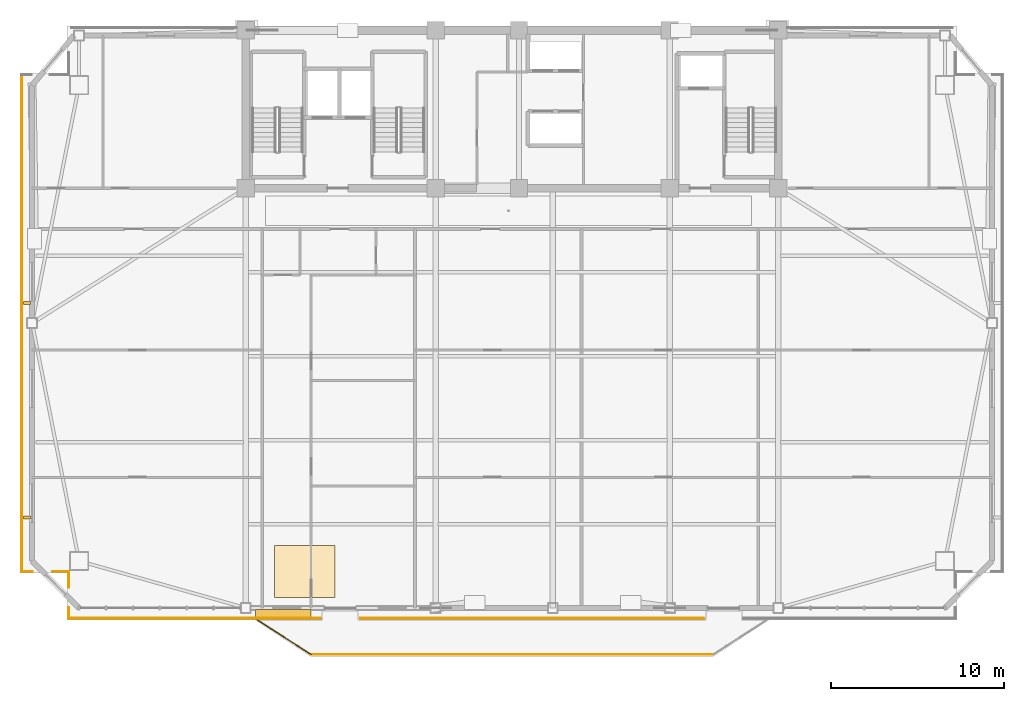
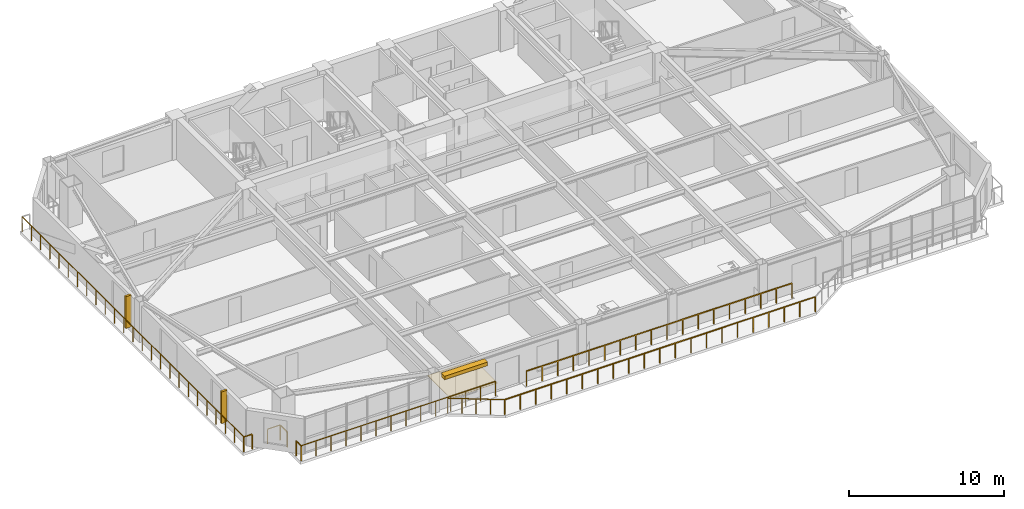
# One storey, part 13 of 16: 9 railings, 3 shading devices, 1 covering.
"""IFC4 building model written with IfcOpenShell, lengths in metres."""

from ifc_helpers import new_model, si_unit, direction, frame, origin, origin_2d, place, context, subcontext, project, spatial, polyline, rectangle, outline, extrude, source, transform, mapped, material, layer, layer_set, type_object, element, save


model = new_model("IFC4")

# Units and contexts
model_context = context("Model", 3, precision=1e-05, world=origin(), true_north=direction((0.0, 1.0)))
body_context = subcontext(model_context, "Body", "Model", "MODEL_VIEW")
ifc_project = project(units=[si_unit("LENGTHUNIT", "METRE"), si_unit("AREAUNIT", "SQUARE_METRE"), si_unit("VOLUMEUNIT", "CUBIC_METRE"), si_unit("PLANEANGLEUNIT", "RADIAN"), si_unit("MASSUNIT", "GRAM", prefix="KILO")], contexts=[model_context])

# Site, building, storey
site_placement = place(None, origin())
site = spatial("IfcSite", under=ifc_project, at=site_placement, CompositionType="ELEMENT")
building_placement = place(site_placement, origin())
building = spatial("IfcBuilding", under=site, at=building_placement, Name="Giltprow Tower", CompositionType="ELEMENT")
storey_placement = place(building_placement, frame((0.0, 0.0, 227.0)))
storey = spatial("IfcBuildingStorey", under=building, at=storey_placement, Name="L57", CompositionType="ELEMENT", Elevation=227.0)

# Covering
ifc_material_1 = material(Name="Engineered oak", Category="wood")
ifc_layer = layer(ifc_material_1, 0.02490234375, Name="Engineered oak")
ifc_layer_set = layer_set([ifc_layer], Name="Engineered oak")
covering_type = type_object("IfcCoveringType", Name="COV-FLR-TIMBER", PredefinedType="FLOORING", material=ifc_layer_set)
covering_placement = place(storey_placement, origin())
element("IfcCovering", 1, at=covering_placement, inside=storey, type_object=covering_type, Name="L57 Residence Oak Parquet Flooring", PredefinedType="FLOORING", context=body_context, shape_type="SweptSolid", body=[
    extrude(outline(polyline([(21.5, 13.85009765625), (25.0, 13.85009765625), (25.0, 16.85009765625), (21.5, 16.85009765625), (21.5, 13.85009765625)])), origin(), (0.0, 0.0, 1.0), 0.02490234375),
])

# Railings
ifc_material_2 = material(Name="Anodized bronze", Category="metal")
railing_type = type_object("IfcRailingType", Name="RAIL-BALC-GUARD-1200", PredefinedType="BALUSTRADE", material=ifc_material_2)
railing_1_placement = place(storey_placement, frame((20.52001953125, 12.550048828125, 0.0)))
element("IfcRailing", 2, at=railing_1_placement, inside=storey, type_object=railing_type, Name="L57 Waterfront Balcony Balustrade Seg 1", PredefinedType="BALUSTRADE", context=body_context, shape_type="SweptSolid", body=[
    extrude(rectangle(XDim=0.048095703125, YDim=0.048095703125, at=origin_2d()), frame((0.0, 0.0, 1.17578125), z_axis=(0.84277487735, -0.538266203757, 0.0), x_axis=(0.538266203757, 0.84277487735, 0.0)), (0.0, 0.0, 1.0), 3.678466796875),
    extrude(rectangle(XDim=0.0419921875, YDim=0.0419921875, at=origin_2d()), origin(), (0.0, 0.0, 1.0), 1.15185546875),
    extrude(rectangle(XDim=0.0419921875, YDim=0.0419921875, at=origin_2d()), frame((0.77490234375, -0.4951171875, 0.0)), (0.0, 0.0, 1.0), 1.15185546875),
    extrude(rectangle(XDim=0.0419921875, YDim=0.0419921875, at=origin_2d()), frame((1.550048828125, -0.989990234375, 0.0)), (0.0, 0.0, 1.0), 1.15185546875),
    extrude(rectangle(XDim=0.0419921875, YDim=0.0419921875, at=origin_2d()), frame((2.3251953125, -1.48486328125, 0.0)), (0.0, 0.0, 1.0), 1.15185546875),
    extrude(rectangle(XDim=0.0419921875, YDim=0.0419921875, at=origin_2d()), frame((3.10009765625, -1.97998046875, 0.0)), (0.0, 0.0, 1.0), 1.15185546875),
])
railing_2_placement = place(storey_placement, frame((23.6201171875, 10.570068359375, 0.0)))
element("IfcRailing", 3, at=railing_2_placement, inside=storey, type_object=railing_type, Name="L57 Waterfront Balcony Balustrade Seg 2", PredefinedType="BALUSTRADE", context=body_context, shape_type="SweptSolid", body=[
    extrude(rectangle(XDim=0.048095703125, YDim=0.048095703125, at=origin_2d()), frame((0.0, 0.0, 1.17578125), z_axis=(1.0, 0.0, 0.0), x_axis=(0.0, 1.0, 0.0)), (0.0, 0.0, 1.0), 23.159912109375),
    extrude(rectangle(XDim=0.0419921875, YDim=0.0419921875, at=origin_2d()), origin(), (0.0, 0.0, 1.0), 1.15185546875),
    extrude(rectangle(XDim=0.0419921875, YDim=0.0419921875, at=origin_2d()), frame((1.157958984375, 0.0, 0.0)), (0.0, 0.0, 1.0), 1.15185546875),
    extrude(rectangle(XDim=0.0419921875, YDim=0.0419921875, at=origin_2d()), frame((2.31591796875, 0.0, 0.0)), (0.0, 0.0, 1.0), 1.15185546875),
    extrude(rectangle(XDim=0.0419921875, YDim=0.0419921875, at=origin_2d()), frame((3.473876953125, 0.0, 0.0)), (0.0, 0.0, 1.0), 1.15185546875),
    extrude(rectangle(XDim=0.0419921875, YDim=0.0419921875, at=origin_2d()), frame((4.632080078125, 0.0, 0.0)), (0.0, 0.0, 1.0), 1.15185546875),
    extrude(rectangle(XDim=0.0419921875, YDim=0.0419921875, at=origin_2d()), frame((5.7900390625, 0.0, 0.0)), (0.0, 0.0, 1.0), 1.15185546875),
    extrude(rectangle(XDim=0.0419921875, YDim=0.0419921875, at=origin_2d()), frame((6.947998046875, 0.0, 0.0)), (0.0, 0.0, 1.0), 1.15185546875),
    extrude(rectangle(XDim=0.0419921875, YDim=0.0419921875, at=origin_2d()), frame((8.10595703125, 0.0, 0.0)), (0.0, 0.0, 1.0), 1.15185546875),
    extrude(rectangle(XDim=0.0419921875, YDim=0.0419921875, at=origin_2d()), frame((9.263916015625, 0.0, 0.0)), (0.0, 0.0, 1.0), 1.15185546875),
    extrude(rectangle(XDim=0.0419921875, YDim=0.0419921875, at=origin_2d()), frame((10.421875, 0.0, 0.0)), (0.0, 0.0, 1.0), 1.15185546875),
    extrude(rectangle(XDim=0.0419921875, YDim=0.0419921875, at=origin_2d()), frame((11.580078125, 0.0, 0.0)), (0.0, 0.0, 1.0), 1.15185546875),
    extrude(rectangle(XDim=0.0419921875, YDim=0.0419921875, at=origin_2d()), frame((12.738037109375, 0.0, 0.0)), (0.0, 0.0, 1.0), 1.15185546875),
    extrude(rectangle(XDim=0.0419921875, YDim=0.0419921875, at=origin_2d()), frame((13.89599609375, 0.0, 0.0)), (0.0, 0.0, 1.0), 1.15185546875),
    extrude(rectangle(XDim=0.0419921875, YDim=0.0419921875, at=origin_2d()), frame((15.053955078125, 0.0, 0.0)), (0.0, 0.0, 1.0), 1.15185546875),
    extrude(rectangle(XDim=0.0419921875, YDim=0.0419921875, at=origin_2d()), frame((16.2119140625, 0.0, 0.0)), (0.0, 0.0, 1.0), 1.15185546875),
    extrude(rectangle(XDim=0.0419921875, YDim=0.0419921875, at=origin_2d()), frame((17.369873046875, 0.0, 0.0)), (0.0, 0.0, 1.0), 1.15185546875),
    extrude(rectangle(XDim=0.0419921875, YDim=0.0419921875, at=origin_2d()), frame((18.52783203125, 0.0, 0.0)), (0.0, 0.0, 1.0), 1.15185546875),
    extrude(rectangle(XDim=0.0419921875, YDim=0.0419921875, at=origin_2d()), frame((19.68603515625, 0.0, 0.0)), (0.0, 0.0, 1.0), 1.15185546875),
    extrude(rectangle(XDim=0.0419921875, YDim=0.0419921875, at=origin_2d()), frame((20.843994140625, 0.0, 0.0)), (0.0, 0.0, 1.0), 1.15185546875),
    extrude(rectangle(XDim=0.0419921875, YDim=0.0419921875, at=origin_2d()), frame((22.001953125, 0.0, 0.0)), (0.0, 0.0, 1.0), 1.15185546875),
    extrude(rectangle(XDim=0.0419921875, YDim=0.0419921875, at=origin_2d()), frame((23.159912109375, 0.0, 0.0)), (0.0, 0.0, 1.0), 1.15185546875),
])
railing_3_placement = place(storey_placement, frame((46.25, 12.64990234375, 0.0)))
element("IfcRailing", 4, at=railing_3_placement, inside=storey, type_object=railing_type, Name="L57 Corner Apron Edge Balustrade 7", PredefinedType="BALUSTRADE", context=body_context, shape_type="SweptSolid", body=[
    extrude(rectangle(XDim=0.048095703125, YDim=0.048095703125, at=origin_2d()), frame((0.0, 0.0, 1.17578125), z_axis=(-1.0, 0.0, 0.0), x_axis=(0.0, -1.0, 0.0)), (0.0, 0.0, 1.0), 19.800048828125),
    extrude(rectangle(XDim=0.0419921875, YDim=0.0419921875, at=origin_2d()), origin(), (0.0, 0.0, 1.0), 1.15185546875),
    extrude(rectangle(XDim=0.0419921875, YDim=0.0419921875, at=origin_2d()), frame((-1.164794921875, 0.0, 0.0)), (0.0, 0.0, 1.0), 1.15185546875),
    extrude(rectangle(XDim=0.0419921875, YDim=0.0419921875, at=origin_2d()), frame((-2.329345703125, 0.0, 0.0)), (0.0, 0.0, 1.0), 1.15185546875),
    extrude(rectangle(XDim=0.0419921875, YDim=0.0419921875, at=origin_2d()), frame((-3.494140625, 0.0, 0.0)), (0.0, 0.0, 1.0), 1.15185546875),
    extrude(rectangle(XDim=0.0419921875, YDim=0.0419921875, at=origin_2d()), frame((-4.658935546875, 0.0, 0.0)), (0.0, 0.0, 1.0), 1.15185546875),
    extrude(rectangle(XDim=0.0419921875, YDim=0.0419921875, at=origin_2d()), frame((-5.823486328125, 0.0, 0.0)), (0.0, 0.0, 1.0), 1.15185546875),
    extrude(rectangle(XDim=0.0419921875, YDim=0.0419921875, at=origin_2d()), frame((-6.98828125, 0.0, 0.0)), (0.0, 0.0, 1.0), 1.15185546875),
    extrude(rectangle(XDim=0.0419921875, YDim=0.0419921875, at=origin_2d()), frame((-8.153076171875, 0.0, 0.0)), (0.0, 0.0, 1.0), 1.15185546875),
    extrude(rectangle(XDim=0.0419921875, YDim=0.0419921875, at=origin_2d()), frame((-9.317626953125, 0.0, 0.0)), (0.0, 0.0, 1.0), 1.15185546875),
    extrude(rectangle(XDim=0.0419921875, YDim=0.0419921875, at=origin_2d()), frame((-10.482421875, 0.0, 0.0)), (0.0, 0.0, 1.0), 1.15185546875),
    extrude(rectangle(XDim=0.0419921875, YDim=0.0419921875, at=origin_2d()), frame((-11.64697265625, 0.0, 0.0)), (0.0, 0.0, 1.0), 1.15185546875),
    extrude(rectangle(XDim=0.0419921875, YDim=0.0419921875, at=origin_2d()), frame((-12.811767578125, 0.0, 0.0)), (0.0, 0.0, 1.0), 1.15185546875),
    extrude(rectangle(XDim=0.0419921875, YDim=0.0419921875, at=origin_2d()), frame((-13.9765625, 0.0, 0.0)), (0.0, 0.0, 1.0), 1.15185546875),
    extrude(rectangle(XDim=0.0419921875, YDim=0.0419921875, at=origin_2d()), frame((-15.14111328125, 0.0, 0.0)), (0.0, 0.0, 1.0), 1.15185546875),
    extrude(rectangle(XDim=0.0419921875, YDim=0.0419921875, at=origin_2d()), frame((-16.305908203125, 0.0, 0.0)), (0.0, 0.0, 1.0), 1.15185546875),
    extrude(rectangle(XDim=0.0419921875, YDim=0.0419921875, at=origin_2d()), frame((-17.470703125, 0.0, 0.0)), (0.0, 0.0, 1.0), 1.15185546875),
    extrude(rectangle(XDim=0.0419921875, YDim=0.0419921875, at=origin_2d()), frame((-18.63525390625, 0.0, 0.0)), (0.0, 0.0, 1.0), 1.15185546875),
    extrude(rectangle(XDim=0.0419921875, YDim=0.0419921875, at=origin_2d()), frame((-19.800048828125, 0.0, 0.0)), (0.0, 0.0, 1.0), 1.15185546875),
])
railing_4_placement = place(storey_placement, frame((24.14990234375, 12.64990234375, 0.0)))
element("IfcRailing", 5, at=railing_4_placement, inside=storey, type_object=railing_type, Name="L57 Corner Apron Edge Balustrade 8", PredefinedType="BALUSTRADE", context=body_context, shape_type="SweptSolid", body=[
    extrude(rectangle(XDim=0.048095703125, YDim=0.048095703125, at=origin_2d()), frame((0.0, 0.0, 1.17578125), z_axis=(-1.0, 0.0, 0.0), x_axis=(0.0, -1.0, 0.0)), (0.0, 0.0, 1.0), 14.510009765625),
    extrude(rectangle(XDim=0.0419921875, YDim=0.0419921875, at=origin_2d()), origin(), (0.0, 0.0, 1.0), 1.15185546875),
    extrude(rectangle(XDim=0.0419921875, YDim=0.0419921875, at=origin_2d()), frame((-1.1162109375, 0.0, 0.0)), (0.0, 0.0, 1.0), 1.15185546875),
    extrude(rectangle(XDim=0.0419921875, YDim=0.0419921875, at=origin_2d()), frame((-2.232421875, 0.0, 0.0)), (0.0, 0.0, 1.0), 1.15185546875),
    extrude(rectangle(XDim=0.0419921875, YDim=0.0419921875, at=origin_2d()), frame((-3.348388671875, 0.0, 0.0)), (0.0, 0.0, 1.0), 1.15185546875),
    extrude(rectangle(XDim=0.0419921875, YDim=0.0419921875, at=origin_2d()), frame((-4.464599609375, 0.0, 0.0)), (0.0, 0.0, 1.0), 1.15185546875),
    extrude(rectangle(XDim=0.0419921875, YDim=0.0419921875, at=origin_2d()), frame((-5.580810546875, 0.0, 0.0)), (0.0, 0.0, 1.0), 1.15185546875),
    extrude(rectangle(XDim=0.0419921875, YDim=0.0419921875, at=origin_2d()), frame((-6.697021484375, 0.0, 0.0)), (0.0, 0.0, 1.0), 1.15185546875),
    extrude(rectangle(XDim=0.0419921875, YDim=0.0419921875, at=origin_2d()), frame((-7.81298828125, 0.0, 0.0)), (0.0, 0.0, 1.0), 1.15185546875),
    extrude(rectangle(XDim=0.0419921875, YDim=0.0419921875, at=origin_2d()), frame((-8.92919921875, 0.0, 0.0)), (0.0, 0.0, 1.0), 1.15185546875),
    extrude(rectangle(XDim=0.0419921875, YDim=0.0419921875, at=origin_2d()), frame((-10.04541015625, 0.0, 0.0)), (0.0, 0.0, 1.0), 1.15185546875),
    extrude(rectangle(XDim=0.0419921875, YDim=0.0419921875, at=origin_2d()), frame((-11.16162109375, 0.0, 0.0)), (0.0, 0.0, 1.0), 1.15185546875),
    extrude(rectangle(XDim=0.0419921875, YDim=0.0419921875, at=origin_2d()), frame((-12.277587890625, 0.0, 0.0)), (0.0, 0.0, 1.0), 1.15185546875),
    extrude(rectangle(XDim=0.0419921875, YDim=0.0419921875, at=origin_2d()), frame((-13.393798828125, 0.0, 0.0)), (0.0, 0.0, 1.0), 1.15185546875),
    extrude(rectangle(XDim=0.0419921875, YDim=0.0419921875, at=origin_2d()), frame((-14.510009765625, 0.0, 0.0)), (0.0, 0.0, 1.0), 1.15185546875),
])
railing_5_placement = place(storey_placement, frame((9.639892578125, 12.64990234375, 0.0)))
element("IfcRailing", 6, at=railing_5_placement, inside=storey, type_object=railing_type, Name="L57 Corner Apron Edge Balustrade 9", PredefinedType="BALUSTRADE", context=body_context, shape_type="SweptSolid", body=[
    extrude(rectangle(XDim=0.048095703125, YDim=0.048095703125, at=origin_2d()), frame((0.0, 0.0, 1.17578125), z_axis=(0.0, 1.0, 0.0), x_axis=(-1.0, 0.0, 0.0)), (0.0, 0.0, 1.0), 0.6201171875),
    extrude(rectangle(XDim=0.0419921875, YDim=0.0419921875, at=origin_2d()), origin(), (0.0, 0.0, 1.0), 1.15185546875),
    extrude(rectangle(XDim=0.0419921875, YDim=0.0419921875, at=origin_2d()), frame((0.0, 0.6201171875, 0.0)), (0.0, 0.0, 1.0), 1.15185546875),
])
railing_6_placement = place(storey_placement, frame((9.639892578125, 14.429931640625, 0.0)))
element("IfcRailing", 7, at=railing_6_placement, inside=storey, type_object=railing_type, Name="L57 Corner Apron Edge Balustrade 10", PredefinedType="BALUSTRADE", context=body_context, shape_type="SweptSolid", body=[
    extrude(rectangle(XDim=0.048095703125, YDim=0.048095703125, at=origin_2d()), frame((0.0, 0.0, 1.17578125), z_axis=(0.0, 1.0, 0.0), x_axis=(-1.0, 0.0, 0.0)), (0.0, 0.0, 1.0), 0.927001953125),
    extrude(rectangle(XDim=0.0419921875, YDim=0.0419921875, at=origin_2d()), origin(), (0.0, 0.0, 1.0), 1.15185546875),
    extrude(rectangle(XDim=0.0419921875, YDim=0.0419921875, at=origin_2d()), frame((0.0, 0.927001953125, 0.0)), (0.0, 0.0, 1.0), 1.15185546875),
])
railing_7_placement = place(storey_placement, frame((9.639892578125, 15.35693359375, 0.0)))
element("IfcRailing", 8, at=railing_7_placement, inside=storey, type_object=railing_type, Name="L57 Corner Apron Edge Balustrade 11", PredefinedType="BALUSTRADE", context=body_context, shape_type="SweptSolid", body=[
    extrude(rectangle(XDim=0.048095703125, YDim=0.048095703125, at=origin_2d()), frame((0.0, 0.0, 1.17578125), z_axis=(-1.0, 0.0, 0.0), x_axis=(0.0, -1.0, 0.0)), (0.0, 0.0, 1.0), 0.927001953125),
    extrude(rectangle(XDim=0.0419921875, YDim=0.0419921875, at=origin_2d()), origin(), (0.0, 0.0, 1.0), 1.15185546875),
    extrude(rectangle(XDim=0.0419921875, YDim=0.0419921875, at=origin_2d()), frame((-0.927001953125, 0.0, 0.0)), (0.0, 0.0, 1.0), 1.15185546875),
])
railing_8_placement = place(storey_placement, frame((7.552978515625, 15.35693359375, 0.0)))
element("IfcRailing", 9, at=railing_8_placement, inside=storey, type_object=railing_type, Name="L57 Corner Apron Edge Balustrade 12", PredefinedType="BALUSTRADE", context=body_context, shape_type="SweptSolid", body=[
    extrude(rectangle(XDim=0.048095703125, YDim=0.048095703125, at=origin_2d()), frame((0.0, 0.0, 1.17578125), z_axis=(-1.0, 0.0, 0.0), x_axis=(0.0, -1.0, 0.0)), (0.0, 0.0, 1.0), 0.619873046875),
    extrude(rectangle(XDim=0.0419921875, YDim=0.0419921875, at=origin_2d()), origin(), (0.0, 0.0, 1.0), 1.15185546875),
    extrude(rectangle(XDim=0.0419921875, YDim=0.0419921875, at=origin_2d()), frame((-0.619873046875, 0.0, 0.0)), (0.0, 0.0, 1.0), 1.15185546875),
])
railing_9_placement = place(storey_placement, frame((6.93310546875, 15.35693359375, 0.0)))
element("IfcRailing", 10, at=railing_9_placement, inside=storey, type_object=railing_type, Name="L57 Corner Apron Edge Balustrade 13", PredefinedType="BALUSTRADE", context=body_context, shape_type="SweptSolid", body=[
    extrude(rectangle(XDim=0.048095703125, YDim=0.048095703125, at=origin_2d()), frame((0.0, 0.0, 1.17578125), z_axis=(0.0, 1.0, 0.0), x_axis=(-1.0, 0.0, 0.0)), (0.0, 0.0, 1.0), 28.635986328125),
    extrude(rectangle(XDim=0.0419921875, YDim=0.0419921875, at=origin_2d()), origin(), (0.0, 0.0, 1.0), 1.15185546875),
    extrude(rectangle(XDim=0.0419921875, YDim=0.0419921875, at=origin_2d()), frame((0.0, 1.193115234375, 0.0)), (0.0, 0.0, 1.0), 1.15185546875),
    extrude(rectangle(XDim=0.0419921875, YDim=0.0419921875, at=origin_2d()), frame((0.0, 2.38623046875, 0.0)), (0.0, 0.0, 1.0), 1.15185546875),
    extrude(rectangle(XDim=0.0419921875, YDim=0.0419921875, at=origin_2d()), frame((0.0, 3.57958984375, 0.0)), (0.0, 0.0, 1.0), 1.15185546875),
    extrude(rectangle(XDim=0.0419921875, YDim=0.0419921875, at=origin_2d()), frame((0.0, 4.772705078125, 0.0)), (0.0, 0.0, 1.0), 1.15185546875),
    extrude(rectangle(XDim=0.0419921875, YDim=0.0419921875, at=origin_2d()), frame((0.0, 5.9658203125, 0.0)), (0.0, 0.0, 1.0), 1.15185546875),
    extrude(rectangle(XDim=0.0419921875, YDim=0.0419921875, at=origin_2d()), frame((0.0, 7.158935546875, 0.0)), (0.0, 0.0, 1.0), 1.15185546875),
    extrude(rectangle(XDim=0.0419921875, YDim=0.0419921875, at=origin_2d()), frame((0.0, 8.35205078125, 0.0)), (0.0, 0.0, 1.0), 1.15185546875),
    extrude(rectangle(XDim=0.0419921875, YDim=0.0419921875, at=origin_2d()), frame((0.0, 9.54541015625, 0.0)), (0.0, 0.0, 1.0), 1.15185546875),
    extrude(rectangle(XDim=0.0419921875, YDim=0.0419921875, at=origin_2d()), frame((0.0, 10.738525390625, 0.0)), (0.0, 0.0, 1.0), 1.15185546875),
    extrude(rectangle(XDim=0.0419921875, YDim=0.0419921875, at=origin_2d()), frame((0.0, 11.931640625, 0.0)), (0.0, 0.0, 1.0), 1.15185546875),
    extrude(rectangle(XDim=0.0419921875, YDim=0.0419921875, at=origin_2d()), frame((0.0, 13.124755859375, 0.0)), (0.0, 0.0, 1.0), 1.15185546875),
    extrude(rectangle(XDim=0.0419921875, YDim=0.0419921875, at=origin_2d()), frame((0.0, 14.31787109375, 0.0)), (0.0, 0.0, 1.0), 1.15185546875),
    extrude(rectangle(XDim=0.0419921875, YDim=0.0419921875, at=origin_2d()), frame((0.0, 15.51123046875, 0.0)), (0.0, 0.0, 1.0), 1.15185546875),
    extrude(rectangle(XDim=0.0419921875, YDim=0.0419921875, at=origin_2d()), frame((0.0, 16.704345703125, 0.0)), (0.0, 0.0, 1.0), 1.15185546875),
    extrude(rectangle(XDim=0.0419921875, YDim=0.0419921875, at=origin_2d()), frame((0.0, 17.8974609375, 0.0)), (0.0, 0.0, 1.0), 1.15185546875),
    extrude(rectangle(XDim=0.0419921875, YDim=0.0419921875, at=origin_2d()), frame((0.0, 19.090576171875, 0.0)), (0.0, 0.0, 1.0), 1.15185546875),
    extrude(rectangle(XDim=0.0419921875, YDim=0.0419921875, at=origin_2d()), frame((0.0, 20.283935546875, 0.0)), (0.0, 0.0, 1.0), 1.15185546875),
    extrude(rectangle(XDim=0.0419921875, YDim=0.0419921875, at=origin_2d()), frame((0.0, 21.47705078125, 0.0)), (0.0, 0.0, 1.0), 1.15185546875),
    extrude(rectangle(XDim=0.0419921875, YDim=0.0419921875, at=origin_2d()), frame((0.0, 22.670166015625, 0.0)), (0.0, 0.0, 1.0), 1.15185546875),
    extrude(rectangle(XDim=0.0419921875, YDim=0.0419921875, at=origin_2d()), frame((0.0, 23.86328125, 0.0)), (0.0, 0.0, 1.0), 1.15185546875),
    extrude(rectangle(XDim=0.0419921875, YDim=0.0419921875, at=origin_2d()), frame((0.0, 25.056396484375, 0.0)), (0.0, 0.0, 1.0), 1.15185546875),
    extrude(rectangle(XDim=0.0419921875, YDim=0.0419921875, at=origin_2d()), frame((0.0, 26.249755859375, 0.0)), (0.0, 0.0, 1.0), 1.15185546875),
    extrude(rectangle(XDim=0.0419921875, YDim=0.0419921875, at=origin_2d()), frame((0.0, 27.44287109375, 0.0)), (0.0, 0.0, 1.0), 1.15185546875),
    extrude(rectangle(XDim=0.0419921875, YDim=0.0419921875, at=origin_2d()), frame((0.0, 28.635986328125, 0.0)), (0.0, 0.0, 1.0), 1.15185546875),
])

# Shading devices
shading_device_type_1 = type_object("IfcShadingDeviceType", Name="SHD-FIN-420", PredefinedType="USERDEFINED", material=ifc_material_2)
shared_shape_1 = source(origin(), body_context, "Body", "SweptSolid", [
    extrude(rectangle(XDim=0.419921875, YDim=0.159912109375, at=origin_2d()), origin(), (0.0, 0.0, 1.0), 2.5),
])
for number, where, z_axis, x_axis, name in (
    (11, (7.23291015625, 18.466064453125, 0.35009765625), (0.0, 0.0, 1.0), (1.0, 0.0, 0.0), "L57 W Bronze Vertical Fin 1-1"),
    (12, (7.23291015625, 30.839111328125, 0.35009765625), (0.0, 0.0, 1.0), (1.0, 0.0, 0.0), "L57 W Bronze Vertical Fin 2-1"),
):
    element("IfcShadingDevice", number, at=place(storey_placement, frame(where, z_axis=z_axis, x_axis=x_axis)), inside=storey, type_object=shading_device_type_1, Name=name, ObjectType="FIN", PredefinedType="USERDEFINED", context=body_context, shape_type="MappedRepresentation", body=[
        mapped(shared_shape_1, transform((0.0, 0.0, 0.0), x_axis=(1.0, 0.0, 0.0), y_axis=(0.0, 1.0, 0.0), z_axis=(0.0, 0.0, 1.0), scale=1.0)),
    ])
shading_device_type_2 = type_object("IfcShadingDeviceType", Name="SHD-LOUVRE-320", PredefinedType="JALOUSIE", material=ifc_material_2)
shared_shape_2 = source(origin(), body_context, "Body", "SweptSolid", [
    extrude(rectangle(XDim=3.199951171875, YDim=0.449951171875, at=origin_2d()), origin(), (0.0, 0.0, 1.0), 0.280029296875),
])
shading_device_placement = place(storey_placement, frame((22.0, 12.949951171875, 2.56005859375), z_axis=(0.0, 0.0, 1.0), x_axis=(1.0, 0.0, 0.0)))
element("IfcShadingDevice", 13, at=shading_device_placement, inside=storey, type_object=shading_device_type_2, Name="L57 Bronze Sunshade Louvre S-2", PredefinedType="JALOUSIE", context=body_context, shape_type="MappedRepresentation", body=[
    mapped(shared_shape_2, transform((0.0, 0.0, 0.0), x_axis=(1.0, 0.0, 0.0), y_axis=(0.0, 1.0, 0.0), z_axis=(0.0, 0.0, 1.0), scale=1.0)),
])

save(model, "model.ifc")
